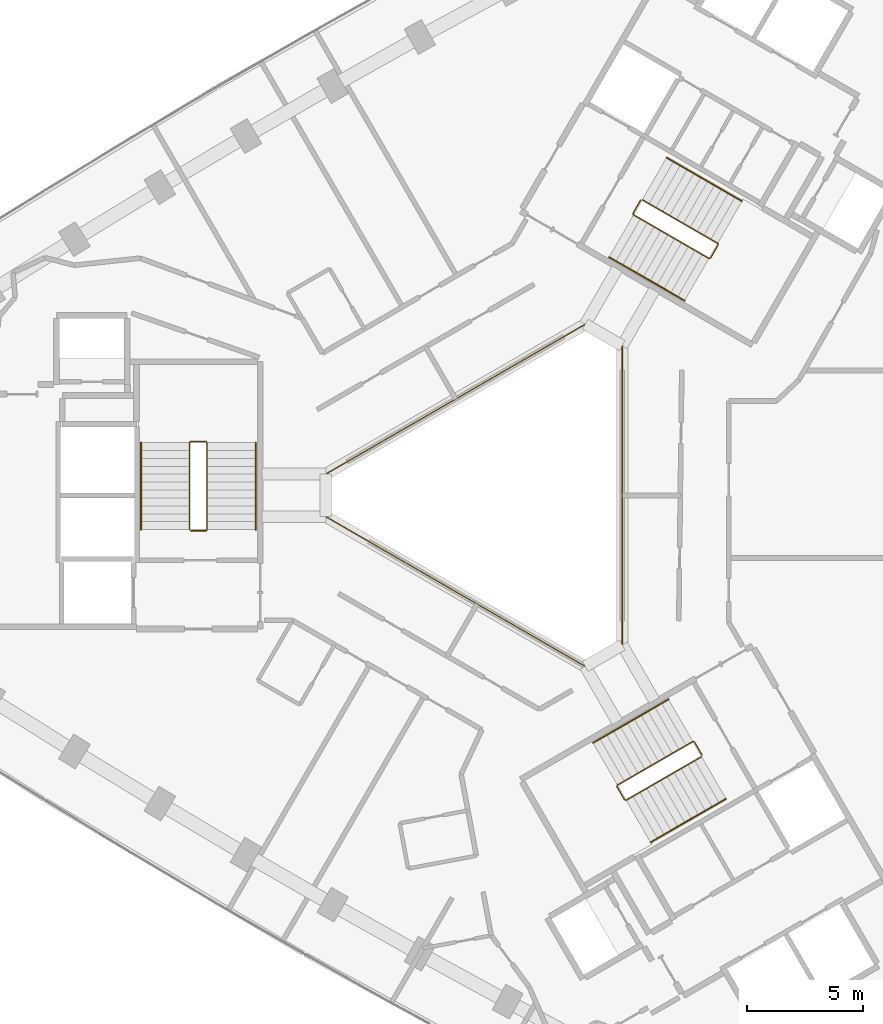
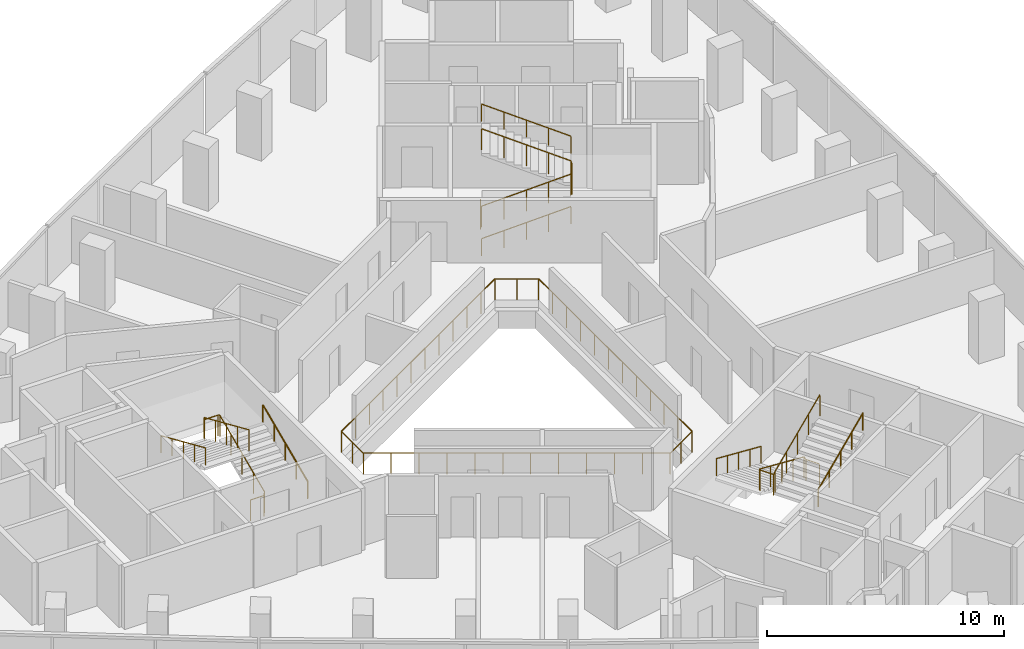
# One storey, part 12 of 12: 10 railings.
"""IFC4 building model written with IfcOpenShell, lengths in metres."""

import ifcopenshell
import ifcopenshell.guid

model = None  # the IFC model being written
_history = None  # IfcOwnerHistory: only IFC2X3 demands one
_inside = {}  # id of a spatial element -> (the spatial element, [elements in it])
_under = {}  # id of a project, library or spatial element -> (it, [spatial elements below it])
_declared = {}  # id of a project -> (the project, [libraries it declares])
_typed = {}  # id of a type object -> (the type object, [elements of that type])
_made_of = {}  # id of a material, layer set ... -> (it, [elements and type objects made of it])


def new_model(schema):
    """Start an empty IFC model of exactly this schema.

    Asked for "IFC4X3", IfcOpenShell would pick the latest addendum, in which some entities
    have other attributes; the version numbers below select the first issue.
    IFC2X3 requires an IfcOwnerHistory on every rooted entity: one is made here for all.
    """
    global model, _history
    if schema == "IFC4X3":
        model = ifcopenshell.file(schema_version=(4, 3, 0, 0))
    else:
        model = ifcopenshell.file(schema=schema)
    _inside.clear()
    _under.clear()
    _declared.clear()
    _typed.clear()
    _made_of.clear()
    _history = None
    if model.schema == "IFC2X3":
        org = make("IfcOrganization", Name="unknown")
        user = make(
            "IfcPersonAndOrganization",
            ThePerson=make("IfcPerson", FamilyName="unknown"),
            TheOrganization=org,
        )
        app = make(
            "IfcApplication",
            ApplicationDeveloper=org,
            Version="unknown",
            ApplicationFullName="unknown",
            ApplicationIdentifier="unknown",
        )
        _history = make(
            "IfcOwnerHistory",
            OwningUser=user,
            OwningApplication=app,
            ChangeAction="ADDED",
            CreationDate=0,
        )
    return model


def make(cls, **values):
    """One entity of the class cls with the attributes given. An attribute that is None is left unset."""
    return model.create_entity(
        cls, **{name: value for name, value in values.items() if value is not None}
    )


def rooted(cls, **values):
    """An entity with a GlobalId (a new one), such as an element, a storey or a relation."""
    return make(cls, GlobalId=ifcopenshell.guid.new(), OwnerHistory=_history, **values)


def si_unit(unit_type, name, prefix=None):
    """IfcSIUnit, for example si_unit("LENGTHUNIT", "METRE", prefix="MILLI")."""
    return make("IfcSIUnit", UnitType=unit_type, Prefix=prefix, Name=name)


def assignment(units):
    """IfcUnitAssignment: the units of a project."""
    return None if units is None else make("IfcUnitAssignment", Units=units)


def point(xyz):
    """IfcCartesianPoint."""
    return None if xyz is None else make("IfcCartesianPoint", Coordinates=xyz)


def direction(xyz):
    """IfcDirection."""
    return None if xyz is None else make("IfcDirection", DirectionRatios=xyz)


def frame(location, z_axis=None, x_axis=None):
    """IfcAxis2Placement3D, a coordinate frame: its origin and axes. An axis left out is left unset."""
    return make(
        "IfcAxis2Placement3D",
        Location=point(location),
        Axis=direction(z_axis),
        RefDirection=direction(x_axis),
    )


def frame_2d(location, x_axis=None):
    """IfcAxis2Placement2D, a coordinate frame in the plane: its origin and x axis."""
    return make(
        "IfcAxis2Placement2D", Location=point(location), RefDirection=direction(x_axis)
    )


def origin():
    """The frame at (0, 0, 0) with its axes left unset."""
    return frame((0.0, 0.0, 0.0))


def origin_2d():
    """The frame at (0, 0) in the plane with its x axis left unset."""
    return frame_2d((0.0, 0.0))


def place(relative_to, where):
    """IfcLocalPlacement: puts the frame where relative to a parent placement (None: the world)."""
    return make(
        "IfcLocalPlacement", PlacementRelTo=relative_to, RelativePlacement=where
    )


def context(
    kind, dimensions, precision=None, world=None, true_north=None, identifier=None
):
    """IfcGeometricRepresentationContext, for example the 3D "Model" context."""
    return make(
        "IfcGeometricRepresentationContext",
        ContextIdentifier=identifier,
        ContextType=kind,
        CoordinateSpaceDimension=dimensions,
        Precision=precision,
        WorldCoordinateSystem=world,
        TrueNorth=true_north,
    )


def subcontext(parent, identifier, kind, view, scale=None):
    """IfcGeometricRepresentationSubContext, for example "Body" below "Model"."""
    return make(
        "IfcGeometricRepresentationSubContext",
        ContextIdentifier=identifier,
        ContextType=kind,
        ParentContext=parent,
        TargetScale=scale,
        TargetView=view,
    )


def project(units=None, contexts=None):
    """IfcProject with its units and contexts."""
    return rooted(
        "IfcProject",
        Name="project",
        RepresentationContexts=contexts,
        UnitsInContext=assignment(units),
    )


def spatial(cls, under=None, at=None, **own):
    """A site, building, storey or space (cls), placed at a placement, below another one or the project."""
    s = rooted(cls, ObjectPlacement=at, **own)
    if under is not None:
        _under.setdefault(under.id(), (under, []))[1].append(s)
    return s


def profile(cls, at=None, kind="AREA", **sizes):
    """A parametric profile (cls). Its sizes go by their IFC names, for example OverallWidth=200.0."""
    return make(cls, ProfileType=kind, Position=at, **sizes)


def circle(**sizes):
    """IfcCircleProfileDef."""
    return profile("IfcCircleProfileDef", **sizes)


def extrude(swept, where, along, depth):
    """IfcExtrudedAreaSolid: the profile swept, set in the frame where, extruded along a direction by depth."""
    return make(
        "IfcExtrudedAreaSolid",
        SweptArea=swept,
        Position=where,
        ExtrudedDirection=direction(along),
        Depth=depth,
    )


def shape(context_of_items, identifier, shape_type, items):
    """IfcShapeRepresentation: the items that make up one representation, for example the "Body"."""
    return make(
        "IfcShapeRepresentation",
        ContextOfItems=context_of_items,
        RepresentationIdentifier=identifier,
        RepresentationType=shape_type,
        Items=items,
    )


def material(Name=None, Category=None):
    """IfcMaterial."""
    return make("IfcMaterial", Name=Name, Category=Category)


def made_of(thing, what):
    """Note that an element or type object is made of a material, layer set ...; save() writes the relation."""
    if what is not None:
        _made_of.setdefault(what.id(), (what, []))[1].append(thing)
    return thing


def type_object(cls, material=None, **own):
    """A type object (cls), such as IfcWallType, which elements share."""
    return made_of(rooted(cls, **own), material)


def element(
    cls,
    number,
    at=None,
    inside=None,
    cuts=None,
    type_object=None,
    material=None,
    context=None,
    identifier="Body",
    shape_type=None,
    held_by="IfcProductDefinitionShape",
    body=None,
    shapes=None,
    **own,
):
    """One element of the class cls, such as IfcWall. Its Tag is "e" and its number.

    at: its placement. inside: the storey or other place that contains it. cuts: it is an
    opening in that element (IfcRelVoidsElement). A single representation is given by context,
    identifier, shape_type and body (its items); several are given by shapes. held_by: the class
    of the entity that holds the representations. save() writes the other relations.
    """
    e = rooted(cls, Tag="e%d" % number, ObjectPlacement=at, **own)
    if body is not None:
        shapes = [shape(context, identifier, shape_type, body)]
    if shapes is not None:
        e.Representation = make(held_by, Representations=shapes)
    if inside is not None:
        _inside.setdefault(inside.id(), (inside, []))[1].append(e)
    if cuts is not None:
        rooted(
            "IfcRelVoidsElement", RelatingBuildingElement=cuts, RelatedOpeningElement=e
        )
    if type_object is not None:
        _typed.setdefault(type_object.id(), (type_object, []))[1].append(e)
    return made_of(e, material)


def aggregate(whole, parts):
    """IfcRelAggregates: a whole, such as a stair, and the parts it consists of."""
    return rooted("IfcRelAggregates", RelatingObject=whole, RelatedObjects=parts)


def save(model, path):
    """Write the relations noted so far, then the file.

    IfcRelAggregates (storeys below a building ...), IfcRelContainedInSpatialStructure (elements
    in a storey), IfcRelDefinesByType, IfcRelAssociatesMaterial and IfcRelDeclares: one each for
    every whole, place, type object, material and project.
    """
    for whole, parts in _under.values():
        aggregate(whole, parts)
    for where, things in _inside.values():
        rooted(
            "IfcRelContainedInSpatialStructure",
            RelatedElements=things,
            RelatingStructure=where,
        )
    for kind, things in _typed.values():
        rooted("IfcRelDefinesByType", RelatedObjects=things, RelatingType=kind)
    for what, things in _made_of.values():
        rooted("IfcRelAssociatesMaterial", RelatedObjects=things, RelatingMaterial=what)
    for by, libraries in _declared.values():
        rooted("IfcRelDeclares", RelatingContext=by, RelatedDefinitions=libraries)
    model.write(path)


model = new_model("IFC4")

# Units and contexts
model_context = context("Model", 3, precision=1e-05, world=origin(), true_north=direction((0.0, 1.0)))
body_context = subcontext(model_context, "Body", "Model", "MODEL_VIEW")
ifc_project = project(units=[si_unit("LENGTHUNIT", "METRE"), si_unit("AREAUNIT", "SQUARE_METRE"), si_unit("VOLUMEUNIT", "CUBIC_METRE"), si_unit("PLANEANGLEUNIT", "RADIAN"), si_unit("MASSUNIT", "GRAM", prefix="KILO")], contexts=[model_context])

# Site, building, storey
site_placement = place(None, origin())
site = spatial("IfcSite", under=ifc_project, at=site_placement, CompositionType="ELEMENT")
building_placement = place(site_placement, origin())
building = spatial("IfcBuilding", under=site, at=building_placement, Name="Tamra Quay Hotel Tower", CompositionType="ELEMENT")
storey_placement = place(building_placement, frame((0.0, 0.0, 143.199951171875)))
storey = spatial("IfcBuildingStorey", under=building, at=storey_placement, Name="L35", CompositionType="ELEMENT", Elevation=143.199951171875)

# Railings
ifc_material_1 = material(Name="Guard atrium edge 1100")
railing_type_1 = type_object("IfcRailingType", Name="Guard atrium edge 1100", PredefinedType="GUARDRAIL", material=ifc_material_1)
railing_1_placement = place(storey_placement, frame((4.800048828125, -6.466064453125, 0.0)))
element("IfcRailing", 1, at=railing_1_placement, inside=storey, type_object=railing_type_1, Name="G-A", PredefinedType="GUARDRAIL", context=body_context, shape_type="SweptSolid", body=[
    extrude(circle(Radius=0.02392578125, at=origin_2d()), frame((0.0, 0.0, 1.076171875), z_axis=(-0.86602275259, -0.500004591975, 0.0), x_axis=(0.500004591975, -0.86602275259, 0.0)), (0.0, 0.0, 1.0), 1.84765625),
    extrude(circle(Radius=0.02392578125, at=origin_2d()), frame((-1.60009765625, -0.923828125, 1.076171875), z_axis=(-0.86604129137, 0.499972480886, 0.0), x_axis=(-0.499972480886, -0.86604129137, 0.0)), (0.0, 0.0, 1.0), 12.932373046875),
    extrude(circle(Radius=0.02392578125, at=origin_2d()), frame((-12.800048828125, 5.5419921875, 1.076171875), z_axis=(0.0, 1.0, 0.0), x_axis=(-1.0, 0.0, 0.0)), (0.0, 0.0, 1.0), 1.84814453125),
    extrude(circle(Radius=0.02392578125, at=origin_2d()), frame((-12.800048828125, 7.39013671875, 1.076171875), z_axis=(0.86604129137, 0.499972480886, 0.0), x_axis=(-0.499972480886, 0.86604129137, 0.0)), (0.0, 0.0, 1.0), 12.932373046875),
    extrude(circle(Radius=0.02392578125, at=origin_2d()), frame((-1.60009765625, 13.85595703125, 1.076171875), z_axis=(0.86602275259, -0.500004591975, 0.0), x_axis=(0.500004591975, 0.86602275259, 0.0)), (0.0, 0.0, 1.0), 1.84765625),
    extrude(circle(Radius=0.02392578125, at=origin_2d()), frame((0.0, 12.93212890625, 1.076171875), z_axis=(0.0, -1.0, 0.0), x_axis=(1.0, 0.0, 0.0)), (0.0, 0.0, 1.0), 12.93212890625),
    extrude(circle(Radius=0.02099609375, at=origin_2d()), origin(), (0.0, 0.0, 1.0), 1.052001953125),
    extrude(circle(Radius=0.02099609375, at=origin_2d()), frame((-0.800048828125, -0.4619140625, 0.0)), (0.0, 0.0, 1.0), 1.052001953125),
    extrude(circle(Radius=0.02099609375, at=origin_2d()), frame((-1.60009765625, -0.923828125, 0.0)), (0.0, 0.0, 1.0), 1.052001953125),
    extrude(circle(Radius=0.02099609375, at=origin_2d()), frame((-2.6181640625, -0.3359375, 0.0)), (0.0, 0.0, 1.0), 1.052001953125),
    extrude(circle(Radius=0.02099609375, at=origin_2d()), frame((-3.636474609375, 0.251708984375, 0.0)), (0.0, 0.0, 1.0), 1.052001953125),
    extrude(circle(Radius=0.02099609375, at=origin_2d()), frame((-4.654541015625, 0.839599609375, 0.0)), (0.0, 0.0, 1.0), 1.052001953125),
    extrude(circle(Radius=0.02099609375, at=origin_2d()), frame((-5.6728515625, 1.427490234375, 0.0)), (0.0, 0.0, 1.0), 1.052001953125),
    extrude(circle(Radius=0.02099609375, at=origin_2d()), frame((-6.69091796875, 2.01513671875, 0.0)), (0.0, 0.0, 1.0), 1.052001953125),
    extrude(circle(Radius=0.02099609375, at=origin_2d()), frame((-7.709228515625, 2.60302734375, 0.0)), (0.0, 0.0, 1.0), 1.052001953125),
    extrude(circle(Radius=0.02099609375, at=origin_2d()), frame((-8.727294921875, 3.190673828125, 0.0)), (0.0, 0.0, 1.0), 1.052001953125),
    extrude(circle(Radius=0.02099609375, at=origin_2d()), frame((-9.74560546875, 3.778564453125, 0.0)), (0.0, 0.0, 1.0), 1.052001953125),
    extrude(circle(Radius=0.02099609375, at=origin_2d()), frame((-10.763671875, 4.366455078125, 0.0)), (0.0, 0.0, 1.0), 1.052001953125),
    extrude(circle(Radius=0.02099609375, at=origin_2d()), frame((-11.781982421875, 4.9541015625, 0.0)), (0.0, 0.0, 1.0), 1.052001953125),
    extrude(circle(Radius=0.02099609375, at=origin_2d()), frame((-12.800048828125, 5.5419921875, 0.0)), (0.0, 0.0, 1.0), 1.052001953125),
    extrude(circle(Radius=0.02099609375, at=origin_2d()), frame((-12.800048828125, 6.466064453125, 0.0)), (0.0, 0.0, 1.0), 1.052001953125),
    extrude(circle(Radius=0.02099609375, at=origin_2d()), frame((-12.800048828125, 7.39013671875, 0.0)), (0.0, 0.0, 1.0), 1.052001953125),
    extrude(circle(Radius=0.02099609375, at=origin_2d()), frame((-11.781982421875, 7.97802734375, 0.0)), (0.0, 0.0, 1.0), 1.052001953125),
    extrude(circle(Radius=0.02099609375, at=origin_2d()), frame((-10.763671875, 8.565673828125, 0.0)), (0.0, 0.0, 1.0), 1.052001953125),
    extrude(circle(Radius=0.02099609375, at=origin_2d()), frame((-9.74560546875, 9.153564453125, 0.0)), (0.0, 0.0, 1.0), 1.052001953125),
    extrude(circle(Radius=0.02099609375, at=origin_2d()), frame((-8.727294921875, 9.741455078125, 0.0)), (0.0, 0.0, 1.0), 1.052001953125),
    extrude(circle(Radius=0.02099609375, at=origin_2d()), frame((-7.709228515625, 10.3291015625, 0.0)), (0.0, 0.0, 1.0), 1.052001953125),
    extrude(circle(Radius=0.02099609375, at=origin_2d()), frame((-6.69091796875, 10.9169921875, 0.0)), (0.0, 0.0, 1.0), 1.052001953125),
    extrude(circle(Radius=0.02099609375, at=origin_2d()), frame((-5.6728515625, 11.504638671875, 0.0)), (0.0, 0.0, 1.0), 1.052001953125),
    extrude(circle(Radius=0.02099609375, at=origin_2d()), frame((-4.654541015625, 12.092529296875, 0.0)), (0.0, 0.0, 1.0), 1.052001953125),
    extrude(circle(Radius=0.02099609375, at=origin_2d()), frame((-3.636474609375, 12.680419921875, 0.0)), (0.0, 0.0, 1.0), 1.052001953125),
    extrude(circle(Radius=0.02099609375, at=origin_2d()), frame((-2.6181640625, 13.26806640625, 0.0)), (0.0, 0.0, 1.0), 1.052001953125),
    extrude(circle(Radius=0.02099609375, at=origin_2d()), frame((-1.60009765625, 13.85595703125, 0.0)), (0.0, 0.0, 1.0), 1.052001953125),
    extrude(circle(Radius=0.02099609375, at=origin_2d()), frame((-0.800048828125, 13.39404296875, 0.0)), (0.0, 0.0, 1.0), 1.052001953125),
    extrude(circle(Radius=0.02099609375, at=origin_2d()), frame((0.0, 12.93212890625, 0.0)), (0.0, 0.0, 1.0), 1.052001953125),
    extrude(circle(Radius=0.02099609375, at=origin_2d()), frame((0.0, 11.756591796875, 0.0)), (0.0, 0.0, 1.0), 1.052001953125),
    extrude(circle(Radius=0.02099609375, at=origin_2d()), frame((0.0, 10.580810546875, 0.0)), (0.0, 0.0, 1.0), 1.052001953125),
    extrude(circle(Radius=0.02099609375, at=origin_2d()), frame((0.0, 9.4052734375, 0.0)), (0.0, 0.0, 1.0), 1.052001953125),
    extrude(circle(Radius=0.02099609375, at=origin_2d()), frame((0.0, 8.2294921875, 0.0)), (0.0, 0.0, 1.0), 1.052001953125),
    extrude(circle(Radius=0.02099609375, at=origin_2d()), frame((0.0, 7.053955078125, 0.0)), (0.0, 0.0, 1.0), 1.052001953125),
    extrude(circle(Radius=0.02099609375, at=origin_2d()), frame((0.0, 5.878173828125, 0.0)), (0.0, 0.0, 1.0), 1.052001953125),
    extrude(circle(Radius=0.02099609375, at=origin_2d()), frame((0.0, 4.70263671875, 0.0)), (0.0, 0.0, 1.0), 1.052001953125),
    extrude(circle(Radius=0.02099609375, at=origin_2d()), frame((0.0, 3.52685546875, 0.0)), (0.0, 0.0, 1.0), 1.052001953125),
    extrude(circle(Radius=0.02099609375, at=origin_2d()), frame((0.0, 2.351318359375, 0.0)), (0.0, 0.0, 1.0), 1.052001953125),
    extrude(circle(Radius=0.02099609375, at=origin_2d()), frame((0.0, 1.175537109375, 0.0)), (0.0, 0.0, 1.0), 1.052001953125),
])
ifc_material_2 = material(Name="Stair guard 1100")
railing_type_2 = type_object("IfcRailingType", Name="Stair guard 1100", PredefinedType="GUARDRAIL", material=ifc_material_2)
railing_2_placement = place(storey_placement, frame((-13.84130859375, -1.530029296875, 0.0)))
element("IfcRailing", 2, at=railing_2_placement, inside=storey, type_object=railing_type_2, Name="GR", PredefinedType="GUARDRAIL", context=body_context, shape_type="SweptSolid", body=[
    extrude(circle(Radius=0.02392578125, at=origin_2d()), frame((0.0, 0.0, 1.076171875), z_axis=(1.0, 0.0, 0.0), x_axis=(0.0, 1.0, 0.0)), (0.0, 0.0, 1.0), 0.658935546875),
    extrude(circle(Radius=0.02392578125, at=origin_2d()), frame((0.658935546875, 0.0, 1.076171875), z_axis=(0.301511344578, 0.301511344578, 0.904534033733), x_axis=(-0.707106781187, 0.707106781187, 0.0)), (0.0, 0.0, 1.0), 0.166015625),
    extrude(circle(Radius=0.02392578125, at=origin_2d()), frame((0.708984375, 0.050048828125, 1.22607421875), z_axis=(0.0, 0.915795495799, 0.401644880304), x_axis=(-1.0, 0.0, 0.0)), (0.0, 0.0, 1.0), 4.10791015625),
    extrude(circle(Radius=0.02392578125, at=origin_2d()), frame((0.708984375, 3.81201171875, 2.8759765625), z_axis=(-0.708833529934, 0.705375805398, 0.0), x_axis=(-0.705375805398, -0.708833529934, 0.0)), (0.0, 0.0, 1.0), 0.070556640625),
    extrude(circle(Radius=0.02392578125, at=origin_2d()), frame((0.658935546875, 3.86181640625, 2.8759765625), z_axis=(-1.0, 0.0, 0.0), x_axis=(0.0, -1.0, 0.0)), (0.0, 0.0, 1.0), 0.658935546875),
    extrude(circle(Radius=0.02392578125, at=origin_2d()), frame((0.0, 3.86181640625, 2.8759765625), z_axis=(-0.302046947789, -0.300573548044, 0.904667443621), x_axis=(0.705375805398, -0.708833529934, 0.0)), (0.0, 0.0, 1.0), 0.165771484375),
    extrude(circle(Radius=0.02392578125, at=origin_2d()), frame((-0.050048828125, 3.81201171875, 3.02587890625), z_axis=(0.0, -0.915773634228, 0.401694723457), x_axis=(1.0, 0.0, 0.0)), (0.0, 0.0, 1.0), 4.10791015625),
    extrude(circle(Radius=0.02099609375, at=origin_2d()), origin(), (0.0, 0.0, 1.0), 1.052001953125),
    extrude(circle(Radius=0.02099609375, at=origin_2d()), frame((0.658935546875, 0.0, 0.0)), (0.0, 0.0, 1.0), 1.052001953125),
    extrude(circle(Radius=0.02099609375, at=origin_2d()), frame((0.708984375, 0.050048828125, 0.150146484375)), (0.0, 0.0, 1.0), 1.052001953125),
    extrude(circle(Radius=0.02099609375, at=origin_2d()), frame((0.708984375, 0.990478515625, 0.5625)), (0.0, 0.0, 1.0), 1.052001953125),
    extrude(circle(Radius=0.02099609375, at=origin_2d()), frame((0.708984375, 1.93115234375, 0.97509765625)), (0.0, 0.0, 1.0), 1.052001953125),
    extrude(circle(Radius=0.02099609375, at=origin_2d()), frame((0.708984375, 2.87158203125, 1.3876953125)), (0.0, 0.0, 1.0), 1.052001953125),
    extrude(circle(Radius=0.02099609375, at=origin_2d()), frame((0.708984375, 3.81201171875, 1.800048828125)), (0.0, 0.0, 1.0), 1.052001953125),
    extrude(circle(Radius=0.02099609375, at=origin_2d()), frame((0.658935546875, 3.86181640625, 1.800048828125)), (0.0, 0.0, 1.0), 1.052001953125),
    extrude(circle(Radius=0.02099609375, at=origin_2d()), frame((0.0, 3.86181640625, 1.800048828125)), (0.0, 0.0, 1.0), 1.052001953125),
    extrude(circle(Radius=0.02099609375, at=origin_2d()), frame((-0.050048828125, 3.81201171875, 1.949951171875)), (0.0, 0.0, 1.0), 1.052001953125),
    extrude(circle(Radius=0.02099609375, at=origin_2d()), frame((-0.050048828125, 2.87158203125, 2.362548828125)), (0.0, 0.0, 1.0), 1.052001953125),
    extrude(circle(Radius=0.02099609375, at=origin_2d()), frame((-0.050048828125, 1.93115234375, 2.77490234375)), (0.0, 0.0, 1.0), 1.052001953125),
    extrude(circle(Radius=0.02099609375, at=origin_2d()), frame((-0.050048828125, 0.990478515625, 3.1875)), (0.0, 0.0, 1.0), 1.052001953125),
    extrude(circle(Radius=0.02099609375, at=origin_2d()), frame((-0.050048828125, 0.050048828125, 3.60009765625)), (0.0, 0.0, 1.0), 1.052001953125),
])
railing_3_placement = place(storey_placement, frame((5.595458984375, 12.751953125, 0.0)))
element("IfcRailing", 3, at=railing_3_placement, inside=storey, type_object=railing_type_2, Name="GR", PredefinedType="GUARDRAIL", context=body_context, shape_type="SweptSolid", body=[
    extrude(circle(Radius=0.02392578125, at=origin_2d()), frame((0.0, 0.0, 1.076171875), z_axis=(-0.499765215335, -0.866160914346, 0.0), x_axis=(0.866160914346, -0.499765215335, 0.0)), (0.0, 0.0, 1.0), 0.658935546875),
    extrude(circle(Radius=0.02392578125, at=origin_2d()), frame((-0.329345703125, -0.57080078125, 1.076171875), z_axis=(0.110378772244, -0.410609032747, 0.905105932399), x_axis=(0.965715946433, 0.259601060869, 0.0)), (0.0, 0.0, 1.0), 0.165771484375),
    extrude(circle(Radius=0.02392578125, at=origin_2d()), frame((-0.31103515625, -0.638916015625, 1.22607421875), z_axis=(0.793078462799, -0.457933869594, 0.401650498471), x_axis=(0.500040788363, 0.866001853331, 0.0)), (0.0, 0.0, 1.0), 4.10791015625),
    extrude(circle(Radius=0.02392578125, at=origin_2d()), frame((2.94677734375, -2.52001953125, 2.8759765625), z_axis=(0.965948051503, 0.258736085224, 0.0), x_axis=(-0.258736085224, 0.965948051503, 0.0)), (0.0, 0.0, 1.0), 0.07080078125),
    extrude(circle(Radius=0.02392578125, at=origin_2d()), frame((3.01513671875, -2.501708984375, 2.8759765625), z_axis=(0.500043078269, 0.866000531106, 0.0), x_axis=(-0.866000531106, 0.500043078269, 0.0)), (0.0, 0.0, 1.0), 0.6591796875),
    extrude(circle(Radius=0.02392578125, at=origin_2d()), frame((3.3447265625, -1.930908203125, 2.8759765625), z_axis=(-0.110525977783, 0.411156637351, 0.904839338113), x_axis=(-0.965715946433, -0.259601060869, 0.0)), (0.0, 0.0, 1.0), 0.165771484375),
    extrude(circle(Radius=0.02392578125, at=origin_2d()), frame((3.326416015625, -1.86279296875, 3.02587890625), z_axis=(-0.793081581205, 0.457901355053, 0.401681409319), x_axis=(-0.500012686397, -0.866018079166, 0.0)), (0.0, 0.0, 1.0), 4.108154296875),
    extrude(circle(Radius=0.02099609375, at=origin_2d()), origin(), (0.0, 0.0, 1.0), 1.052001953125),
    extrude(circle(Radius=0.02099609375, at=origin_2d()), frame((-0.329345703125, -0.57080078125, 0.0)), (0.0, 0.0, 1.0), 1.052001953125),
    extrude(circle(Radius=0.02099609375, at=origin_2d()), frame((-0.31103515625, -0.638916015625, 0.150146484375)), (0.0, 0.0, 1.0), 1.052001953125),
    extrude(circle(Radius=0.02099609375, at=origin_2d()), frame((0.50341796875, -1.109130859375, 0.5625)), (0.0, 0.0, 1.0), 1.052001953125),
    extrude(circle(Radius=0.02099609375, at=origin_2d()), frame((1.31787109375, -1.57958984375, 0.97509765625)), (0.0, 0.0, 1.0), 1.052001953125),
    extrude(circle(Radius=0.02099609375, at=origin_2d()), frame((2.13232421875, -2.0498046875, 1.3876953125)), (0.0, 0.0, 1.0), 1.052001953125),
    extrude(circle(Radius=0.02099609375, at=origin_2d()), frame((2.94677734375, -2.52001953125, 1.800048828125)), (0.0, 0.0, 1.0), 1.052001953125),
    extrude(circle(Radius=0.02099609375, at=origin_2d()), frame((3.01513671875, -2.501708984375, 1.800048828125)), (0.0, 0.0, 1.0), 1.052001953125),
    extrude(circle(Radius=0.02099609375, at=origin_2d()), frame((3.3447265625, -1.930908203125, 1.800048828125)), (0.0, 0.0, 1.0), 1.052001953125),
    extrude(circle(Radius=0.02099609375, at=origin_2d()), frame((3.326416015625, -1.86279296875, 1.949951171875)), (0.0, 0.0, 1.0), 1.052001953125),
    extrude(circle(Radius=0.02099609375, at=origin_2d()), frame((2.511962890625, -1.392578125, 2.362548828125)), (0.0, 0.0, 1.0), 1.052001953125),
    extrude(circle(Radius=0.02099609375, at=origin_2d()), frame((1.697265625, -0.92236328125, 2.77490234375)), (0.0, 0.0, 1.0), 1.052001953125),
    extrude(circle(Radius=0.02099609375, at=origin_2d()), frame((0.8828125, -0.451904296875, 3.1875)), (0.0, 0.0, 1.0), 1.052001953125),
    extrude(circle(Radius=0.02099609375, at=origin_2d()), frame((0.068359375, 0.018310546875, 3.60009765625)), (0.0, 0.0, 1.0), 1.052001953125),
])
railing_4_placement = place(storey_placement, frame((8.245849609375, -11.221923828125, 0.0)))
element("IfcRailing", 4, at=railing_4_placement, inside=storey, type_object=railing_type_2, Name="GR", PredefinedType="GUARDRAIL", context=body_context, shape_type="SweptSolid", body=[
    extrude(circle(Radius=0.02392578125, at=origin_2d()), frame((0.0, 0.0, 1.076171875), z_axis=(-0.500043078269, 0.866000531106, 0.0), x_axis=(-0.866000531106, -0.500043078269, 0.0)), (0.0, 0.0, 1.0), 0.6591796875),
    extrude(circle(Radius=0.02392578125, at=origin_2d()), frame((-0.32958984375, 0.57080078125, 1.076171875), z_axis=(-0.411831509231, 0.110312011401, 0.90455849349), x_axis=(-0.258736085224, -0.965948051503, 0.0)), (0.0, 0.0, 1.0), 0.166015625),
    extrude(circle(Radius=0.02392578125, at=origin_2d()), frame((-0.39794921875, 0.589111328125, 1.22607421875), z_axis=(-0.793100512587, -0.457912285461, 0.401631567183), x_axis=(0.500012686397, -0.866018079166, 0.0)), (0.0, 0.0, 1.0), 4.10791015625),
    extrude(circle(Radius=0.02392578125, at=origin_2d()), frame((-3.656005859375, -1.2919921875, 2.8759765625), z_axis=(-0.256368644879, -0.966579080015, 0.0), x_axis=(0.966579080015, -0.256368644879, 0.0)), (0.0, 0.0, 1.0), 0.070556640625),
    extrude(circle(Radius=0.02392578125, at=origin_2d()), frame((-3.674072265625, -1.360107421875, 2.8759765625), z_axis=(0.499765215335, -0.866160914346, 0.0), x_axis=(0.866160914346, 0.499765215335, 0.0)), (0.0, 0.0, 1.0), 0.658935546875),
    extrude(circle(Radius=0.02392578125, at=origin_2d()), frame((-3.3447265625, -1.930908203125, 2.8759765625), z_axis=(0.41238007866, -0.110458949641, 0.904290601062), x_axis=(0.258736085224, 0.965948051503, 0.0)), (0.0, 0.0, 1.0), 0.165771484375),
    extrude(circle(Radius=0.02392578125, at=origin_2d()), frame((-3.2763671875, -1.94921875, 3.02587890625), z_axis=(0.793081581205, 0.457901355053, 0.401681409319), x_axis=(-0.500012686397, 0.866018079166, 0.0)), (0.0, 0.0, 1.0), 4.108154296875),
    extrude(circle(Radius=0.02099609375, at=origin_2d()), origin(), (0.0, 0.0, 1.0), 1.052001953125),
    extrude(circle(Radius=0.02099609375, at=origin_2d()), frame((-0.32958984375, 0.57080078125, 0.0)), (0.0, 0.0, 1.0), 1.052001953125),
    extrude(circle(Radius=0.02099609375, at=origin_2d()), frame((-0.39794921875, 0.589111328125, 0.150146484375)), (0.0, 0.0, 1.0), 1.052001953125),
    extrude(circle(Radius=0.02099609375, at=origin_2d()), frame((-1.21240234375, 0.118896484375, 0.5625)), (0.0, 0.0, 1.0), 1.052001953125),
    extrude(circle(Radius=0.02099609375, at=origin_2d()), frame((-2.02685546875, -0.3515625, 0.97509765625)), (0.0, 0.0, 1.0), 1.052001953125),
    extrude(circle(Radius=0.02099609375, at=origin_2d()), frame((-2.841552734375, -0.82177734375, 1.3876953125)), (0.0, 0.0, 1.0), 1.052001953125),
    extrude(circle(Radius=0.02099609375, at=origin_2d()), frame((-3.656005859375, -1.2919921875, 1.800048828125)), (0.0, 0.0, 1.0), 1.052001953125),
    extrude(circle(Radius=0.02099609375, at=origin_2d()), frame((-3.674072265625, -1.360107421875, 1.800048828125)), (0.0, 0.0, 1.0), 1.052001953125),
    extrude(circle(Radius=0.02099609375, at=origin_2d()), frame((-3.3447265625, -1.930908203125, 1.800048828125)), (0.0, 0.0, 1.0), 1.052001953125),
    extrude(circle(Radius=0.02099609375, at=origin_2d()), frame((-3.2763671875, -1.94921875, 1.949951171875)), (0.0, 0.0, 1.0), 1.052001953125),
    extrude(circle(Radius=0.02099609375, at=origin_2d()), frame((-2.4619140625, -1.47900390625, 2.362548828125)), (0.0, 0.0, 1.0), 1.052001953125),
    extrude(circle(Radius=0.02099609375, at=origin_2d()), frame((-1.6474609375, -1.0087890625, 2.77490234375)), (0.0, 0.0, 1.0), 1.052001953125),
    extrude(circle(Radius=0.02099609375, at=origin_2d()), frame((-0.832763671875, -0.538330078125, 3.1875)), (0.0, 0.0, 1.0), 1.052001953125),
    extrude(circle(Radius=0.02099609375, at=origin_2d()), frame((-0.018310546875, -0.068115234375, 3.60009765625)), (0.0, 0.0, 1.0), 1.052001953125),
])
ifc_material_3 = material(Name="Stair handrail 900")
railing_type_3 = type_object("IfcRailingType", Name="Stair handrail 900", PredefinedType="HANDRAIL", material=ifc_material_3)
railing_5_placement = place(storey_placement, frame((-11.0322265625, -1.47998046875, 0.150146484375)))
element("IfcRailing", 5, at=railing_5_placement, inside=storey, type_object=railing_type_3, Name="HR", PredefinedType="HANDRAIL", context=body_context, shape_type="SweptSolid", body=[
    extrude(circle(Radius=0.02392578125, at=origin_2d()), frame((0.0, 0.0, 0.8759765625), z_axis=(0.0, 0.915795495799, 0.401644880304), x_axis=(-1.0, 0.0, 0.0)), (0.0, 0.0, 1.0), 4.10791015625),
    extrude(circle(Radius=0.02099609375, at=origin_2d()), origin(), (0.0, 0.0, 1.0), 0.851806640625),
    extrude(circle(Radius=0.02099609375, at=origin_2d()), frame((0.0, 0.9404296875, 0.41259765625)), (0.0, 0.0, 1.0), 0.851806640625),
    extrude(circle(Radius=0.02099609375, at=origin_2d()), frame((0.0, 1.880859375, 0.824951171875)), (0.0, 0.0, 1.0), 0.851806640625),
    extrude(circle(Radius=0.02099609375, at=origin_2d()), frame((0.0, 2.821533203125, 1.2373046875)), (0.0, 0.0, 1.0), 0.851806640625),
    extrude(circle(Radius=0.02099609375, at=origin_2d()), frame((0.0, 3.761962890625, 1.64990234375)), (0.0, 0.0, 1.0), 0.851806640625),
])
railing_6_placement = place(storey_placement, frame((-15.9912109375, 2.281982421875, 1.949951171875)))
element("IfcRailing", 6, at=railing_6_placement, inside=storey, type_object=railing_type_3, Name="HR", PredefinedType="HANDRAIL", context=body_context, shape_type="SweptSolid", body=[
    extrude(circle(Radius=0.02392578125, at=origin_2d()), frame((0.0, 0.0, 0.8759765625), z_axis=(0.0, -0.915773634228, 0.401694723457), x_axis=(1.0, 0.0, 0.0)), (0.0, 0.0, 1.0), 4.10791015625),
    extrude(circle(Radius=0.02099609375, at=origin_2d()), origin(), (0.0, 0.0, 1.0), 0.851806640625),
    extrude(circle(Radius=0.02099609375, at=origin_2d()), frame((0.0, -0.9404296875, 0.41259765625)), (0.0, 0.0, 1.0), 0.851806640625),
    extrude(circle(Radius=0.02099609375, at=origin_2d()), frame((0.0, -1.880859375, 0.8251953125)), (0.0, 0.0, 1.0), 0.851806640625),
    extrude(circle(Radius=0.02099609375, at=origin_2d()), frame((0.0, -2.821533203125, 1.237548828125)), (0.0, 0.0, 1.0), 0.851806640625),
    extrude(circle(Radius=0.02099609375, at=origin_2d()), frame((0.0, -3.761962890625, 1.650146484375)), (0.0, 0.0, 1.0), 0.851806640625),
])
railing_7_placement = place(storey_placement, frame((4.234375, 10.294189453125, 0.150146484375)))
element("IfcRailing", 7, at=railing_7_placement, inside=storey, type_object=railing_type_3, Name="HR", PredefinedType="HANDRAIL", context=body_context, shape_type="SweptSolid", body=[
    extrude(circle(Radius=0.02392578125, at=origin_2d()), frame((0.0, 0.0, 0.8759765625), z_axis=(0.793122095483, -0.45786531462, 0.401642496911), x_axis=(0.499964013922, 0.86604617936, 0.0)), (0.0, 0.0, 1.0), 4.10791015625),
    extrude(circle(Radius=0.02099609375, at=origin_2d()), origin(), (0.0, 0.0, 1.0), 0.851806640625),
    extrude(circle(Radius=0.02099609375, at=origin_2d()), frame((0.814453125, -0.47021484375, 0.41259765625)), (0.0, 0.0, 1.0), 0.851806640625),
    extrude(circle(Radius=0.02099609375, at=origin_2d()), frame((1.62890625, -0.9404296875, 0.824951171875)), (0.0, 0.0, 1.0), 0.851806640625),
    extrude(circle(Radius=0.02099609375, at=origin_2d()), frame((2.443603515625, -1.41064453125, 1.2373046875)), (0.0, 0.0, 1.0), 0.851806640625),
    extrude(circle(Radius=0.02099609375, at=origin_2d()), frame((3.258056640625, -1.880859375, 1.64990234375)), (0.0, 0.0, 1.0), 0.851806640625),
])
railing_8_placement = place(storey_placement, frame((9.971923828125, 12.7080078125, 1.949951171875)))
element("IfcRailing", 8, at=railing_8_placement, inside=storey, type_object=railing_type_3, Name="HR", PredefinedType="HANDRAIL", context=body_context, shape_type="SweptSolid", body=[
    extrude(circle(Radius=0.02392578125, at=origin_2d()), frame((0.0, 0.0, 0.8759765625), z_axis=(-0.793103162556, 0.457854384738, 0.401692339881), x_axis=(-0.499964013922, -0.86604617936, 0.0)), (0.0, 0.0, 1.0), 4.10791015625),
    extrude(circle(Radius=0.02099609375, at=origin_2d()), origin(), (0.0, 0.0, 1.0), 0.851806640625),
    extrude(circle(Radius=0.02099609375, at=origin_2d()), frame((-0.814453125, 0.47021484375, 0.41259765625)), (0.0, 0.0, 1.0), 0.851806640625),
    extrude(circle(Radius=0.02099609375, at=origin_2d()), frame((-1.62890625, 0.9404296875, 0.8251953125)), (0.0, 0.0, 1.0), 0.851806640625),
    extrude(circle(Radius=0.02099609375, at=origin_2d()), frame((-2.443603515625, 1.41064453125, 1.237548828125)), (0.0, 0.0, 1.0), 0.851806640625),
    extrude(circle(Radius=0.02099609375, at=origin_2d()), frame((-3.258056640625, 1.880859375, 1.650146484375)), (0.0, 0.0, 1.0), 0.851806640625),
])
railing_9_placement = place(storey_placement, frame((6.7978515625, -8.814208984375, 0.150146484375)))
element("IfcRailing", 9, at=railing_9_placement, inside=storey, type_object=railing_type_3, Name="HR", PredefinedType="HANDRAIL", context=body_context, shape_type="SweptSolid", body=[
    extrude(circle(Radius=0.02392578125, at=origin_2d()), frame((0.0, 0.0, 0.8759765625), z_axis=(-0.79310004713, -0.457886897714, 0.401661429744), x_axis=(0.499992114976, -0.866029956157, 0.0)), (0.0, 0.0, 1.0), 4.107666015625),
    extrude(circle(Radius=0.02099609375, at=origin_2d()), origin(), (0.0, 0.0, 1.0), 0.851806640625),
    extrude(circle(Radius=0.02099609375, at=origin_2d()), frame((-0.814453125, -0.47021484375, 0.41259765625)), (0.0, 0.0, 1.0), 0.851806640625),
    extrude(circle(Radius=0.02099609375, at=origin_2d()), frame((-1.62890625, -0.9404296875, 0.824951171875)), (0.0, 0.0, 1.0), 0.851806640625),
    extrude(circle(Radius=0.02099609375, at=origin_2d()), frame((-2.443359375, -1.41064453125, 1.2373046875)), (0.0, 0.0, 1.0), 0.851806640625),
    extrude(circle(Radius=0.02099609375, at=origin_2d()), frame((-3.2578125, -1.880859375, 1.64990234375)), (0.0, 0.0, 1.0), 0.851806640625),
])
railing_10_placement = place(storey_placement, frame((6.01953125, -14.98974609375, 1.949951171875)))
element("IfcRailing", 10, at=railing_10_placement, inside=storey, type_object=railing_type_3, Name="HR", PredefinedType="HANDRAIL", context=body_context, shape_type="SweptSolid", body=[
    extrude(circle(Radius=0.02392578125, at=origin_2d()), frame((0.0, 0.0, 0.8759765625), z_axis=(0.793081112945, 0.457875966286, 0.40171127416), x_axis=(-0.499992114976, 0.866029956157, 0.0)), (0.0, 0.0, 1.0), 4.10791015625),
    extrude(circle(Radius=0.02099609375, at=origin_2d()), origin(), (0.0, 0.0, 1.0), 0.851806640625),
    extrude(circle(Radius=0.02099609375, at=origin_2d()), frame((0.814453125, 0.47021484375, 0.41259765625)), (0.0, 0.0, 1.0), 0.851806640625),
    extrude(circle(Radius=0.02099609375, at=origin_2d()), frame((1.62890625, 0.9404296875, 0.8251953125)), (0.0, 0.0, 1.0), 0.851806640625),
    extrude(circle(Radius=0.02099609375, at=origin_2d()), frame((2.443359375, 1.41064453125, 1.237548828125)), (0.0, 0.0, 1.0), 0.851806640625),
    extrude(circle(Radius=0.02099609375, at=origin_2d()), frame((3.2578125, 1.880859375, 1.650146484375)), (0.0, 0.0, 1.0), 0.851806640625),
])

save(model, "model.ifc")
